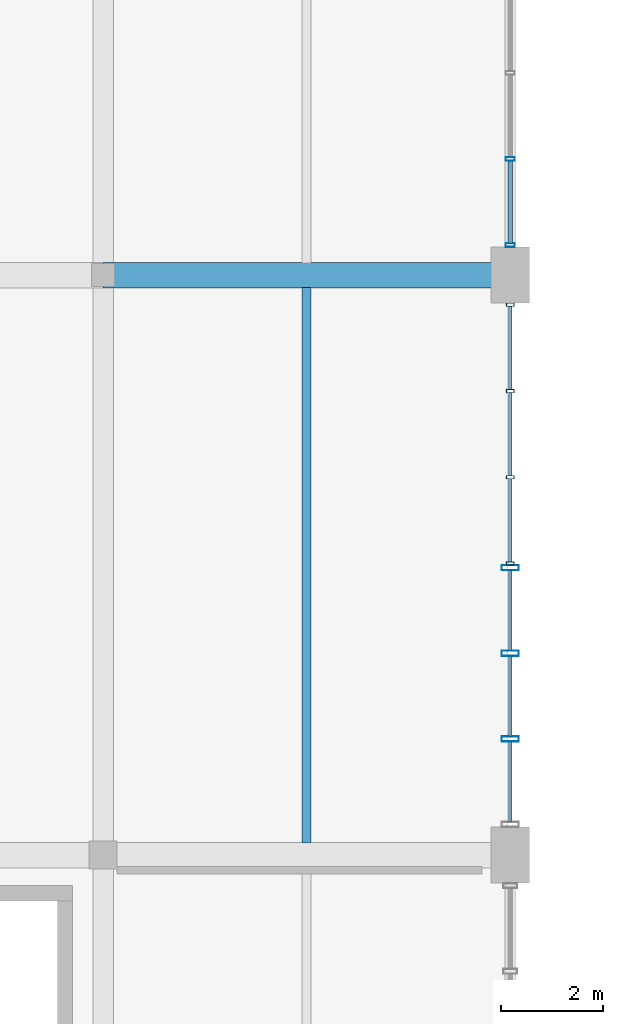
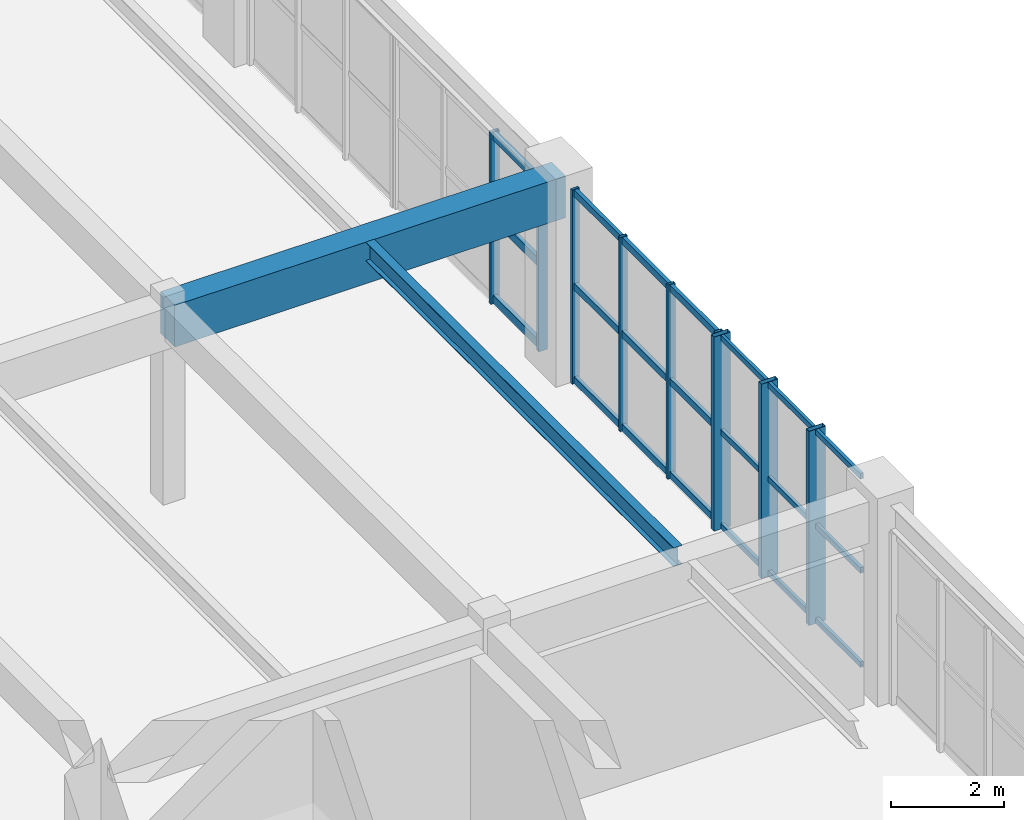
# One storey, part 15 of 80: 30 members, 2 beams, 3 elements without a shape of their own.
"""IFC4 building model written with IfcOpenShell, lengths in metres."""

from ifc_helpers import new_model, si_unit, direction, frame, origin, origin_2d, place, context, subcontext, project, spatial, rectangle, hollow_rectangle, i_section, extrude, material, layer, layer_set, material_profile, profile_set, type_object, element, aggregate, save


model = new_model("IFC4")

# Units and contexts
model_context = context("Model", 3, precision=1e-05, world=origin(), true_north=direction((0.0, 1.0)))
body_context = subcontext(model_context, "Body", "Model", "MODEL_VIEW")
ifc_project = project(units=[si_unit("LENGTHUNIT", "METRE"), si_unit("AREAUNIT", "SQUARE_METRE"), si_unit("VOLUMEUNIT", "CUBIC_METRE"), si_unit("PLANEANGLEUNIT", "RADIAN"), si_unit("MASSUNIT", "GRAM", prefix="KILO"), si_unit("POWERUNIT", "WATT"), si_unit("THERMODYNAMICTEMPERATUREUNIT", "KELVIN")], contexts=[model_context])

# Site, building, storey
site_placement = place(None, origin())
site = spatial("IfcSite", under=ifc_project, at=site_placement, CompositionType="ELEMENT")
building_placement = place(site_placement, origin())
building = spatial("IfcBuilding", under=site, at=building_placement, Name="Kelmbourne Parkland Aquatics Centre", CompositionType="ELEMENT")
storey_placement = place(building_placement, frame((0.0, 0.0, 10.199951171875)))
storey = spatial("IfcBuildingStorey", under=building, at=storey_placement, Name="L02", CompositionType="ELEMENT", Elevation=10.199951171875)

# Beams
ifc_material_1 = material(Name="Concrete C40/50", Category="concrete")
ifc_material_profile_1 = material_profile(ifc_material_1, rectangle(XDim=0.5, YDim=0.89990234375, at=origin_2d()), Name="RC 500x900")
ifc_profile_set_1 = profile_set([ifc_material_profile_1], Name="Concrete C40/50")
beam_type_1 = type_object("IfcBeamType", Name="BM-G03", PredefinedType="BEAM", material=ifc_profile_set_1)
beam_1_placement = place(storey_placement, frame((32.0, 57.800048828125, 3.81005859375), z_axis=(1.0, 0.0, 0.0), x_axis=(0.0, 1.0, 0.0)))
element("IfcBeam", 1, at=beam_1_placement, inside=storey, type_object=beam_type_1, Name="Primary girder E-F Grid 08 (L03)", PredefinedType="BEAM", context=body_context, shape_type="SweptSolid", body=[
    extrude(rectangle(XDim=0.5, YDim=0.89990234375, at=origin_2d()), origin(), (0.0, 0.0, 1.0), 8.0),
])
ifc_material_2 = material(Name="Structural steel AS/NZS 3679.1 Grade 300", Category="steel")
ifc_material_profile_2 = material_profile(ifc_material_2, i_section(OverallWidth=0.177978515625, OverallDepth=0.406005859375, WebThickness=0.0078125, FlangeThickness=0.0126953125, at=origin_2d()), Name="410UB59.7")
ifc_profile_set_2 = profile_set([ifc_material_profile_2], Name="Structural steel AS/NZS 3679.1 Grade 300")
beam_type_2 = type_object("IfcBeamType", Name="BM-J01", PredefinedType="JOIST", material=ifc_profile_set_2)
beam_2_placement = place(storey_placement, frame((36.0, 46.64208984375, 4.05712890625), z_axis=(0.0, 1.0, 0.0), x_axis=(-1.0, 0.0, 0.0)))
element("IfcBeam", 2, at=beam_2_placement, inside=storey, type_object=beam_type_2, Name="Secondary floor joist E-F/06-08 #1 (L03)", PredefinedType="JOIST", context=body_context, shape_type="SweptSolid", body=[
    extrude(i_section(OverallWidth=0.177978515625, OverallDepth=0.406005859375, WebThickness=0.0078125, FlangeThickness=0.0126953125, at=origin_2d()), origin(), (0.0, 0.0, 1.0), 10.916015625),
])

# Curtain wall, members
ifc_material_3 = material(Name="Thermally broken anodised aluminium framing", Category="aluminium")
ifc_layer_1 = layer(ifc_material_3, 0.179931640625)
ifc_layer_set_1 = layer_set([ifc_layer_1], Name="Thermally broken anodised aluminium framing")
curtain_wall_type_1 = type_object("IfcCurtainWallType", Name="CW-10", PredefinedType="NOTDEFINED", material=ifc_layer_set_1)
curtain_wall_1_placement = place(storey_placement, origin())
curtain_wall_1 = element("IfcCurtainWall", 3, at=curtain_wall_1_placement, inside=storey, type_object=curtain_wall_type_1, Name="Facade curtain wall CW-L02-250", PredefinedType="NOTDEFINED")
ifc_material_profile_3 = material_profile(ifc_material_3, hollow_rectangle(XDim=0.06494140625, YDim=0.14990234375, WallThickness=0.00390625, at=origin_2d()), Name="CW-M 65x150")
ifc_profile_set_3 = profile_set([ifc_material_profile_3], Name="Thermally broken anodised aluminium framing")
member_type_1 = type_object("IfcMemberType", Name="MB-MUL-1", PredefinedType="MULLION", material=ifc_profile_set_3)
member_1_placement = place(storey_placement, frame((40.0, 52.132568359375, 0.0), z_axis=(0.0, 0.0, 1.0), x_axis=(0.0, 1.0, 0.0)))
member_1 = element("IfcMember", 4, at=member_1_placement, type_object=member_type_1, Name="CW-L02-250 mullion 0", PredefinedType="MULLION", context=body_context, shape_type="SweptSolid", body=[
    extrude(hollow_rectangle(XDim=0.06494140625, YDim=0.14990234375, WallThickness=0.00390625, at=origin_2d()), origin(), (0.0, 0.0, 1.0), 4.199951171875),
])
member_2_placement = place(storey_placement, frame((40.0, 53.826904296875, 0.0), z_axis=(0.0, 0.0, 1.0), x_axis=(0.0, 1.0, 0.0)))
member_2 = element("IfcMember", 5, at=member_2_placement, type_object=member_type_1, Name="CW-L02-250 mullion 1", PredefinedType="MULLION", context=body_context, shape_type="SweptSolid", body=[
    extrude(hollow_rectangle(XDim=0.06494140625, YDim=0.14990234375, WallThickness=0.00390625, at=origin_2d()), origin(), (0.0, 0.0, 1.0), 4.199951171875),
])
member_3_placement = place(storey_placement, frame((40.0, 55.521240234375, 0.0), z_axis=(0.0, 0.0, 1.0), x_axis=(0.0, 1.0, 0.0)))
member_3 = element("IfcMember", 6, at=member_3_placement, type_object=member_type_1, Name="CW-L02-250 mullion 2", PredefinedType="MULLION", context=body_context, shape_type="SweptSolid", body=[
    extrude(hollow_rectangle(XDim=0.06494140625, YDim=0.14990234375, WallThickness=0.00390625, at=origin_2d()), origin(), (0.0, 0.0, 1.0), 4.199951171875),
])
member_4_placement = place(storey_placement, frame((40.0, 57.215576171875, 0.0), z_axis=(0.0, 0.0, 1.0), x_axis=(0.0, 1.0, 0.0)))
member_4 = element("IfcMember", 7, at=member_4_placement, type_object=member_type_1, Name="CW-L02-250 mullion 3", PredefinedType="MULLION", context=body_context, shape_type="SweptSolid", body=[
    extrude(hollow_rectangle(XDim=0.06494140625, YDim=0.14990234375, WallThickness=0.00390625, at=origin_2d()), origin(), (0.0, 0.0, 1.0), 4.199951171875),
])

ifc_layer_2 = layer(ifc_material_3, 0.179931640625)
ifc_layer_set_2 = layer_set([ifc_layer_2], Name="Thermally broken anodised aluminium framing")
curtain_wall_type_2 = type_object("IfcCurtainWallType", Name="CW-11", PredefinedType="NOTDEFINED", material=ifc_layer_set_2)
curtain_wall_2_placement = place(storey_placement, origin())
curtain_wall_2 = element("IfcCurtainWall", 8, at=curtain_wall_2_placement, inside=storey, type_object=curtain_wall_type_2, Name="Facade curtain wall CW-L02-251", PredefinedType="NOTDEFINED")
ifc_material_profile_4 = material_profile(ifc_material_3, hollow_rectangle(XDim=0.074951171875, YDim=0.179931640625, WallThickness=0.00439453125, at=origin_2d()), Name="CW-M 75x180")
ifc_profile_set_4 = profile_set([ifc_material_profile_4], Name="Thermally broken anodised aluminium framing")
member_type_2 = type_object("IfcMemberType", Name="MB-MUL-2", PredefinedType="MULLION", material=ifc_profile_set_4)
member_5_placement = place(storey_placement, frame((40.0, 58.389404296875, 0.0), z_axis=(0.0, 0.0, 1.0), x_axis=(0.0, 1.0, 0.0)))
member_5 = element("IfcMember", 9, at=member_5_placement, type_object=member_type_2, Name="CW-L02-251 mullion 0", PredefinedType="MULLION", context=body_context, shape_type="SweptSolid", body=[
    extrude(hollow_rectangle(XDim=0.074951171875, YDim=0.179931640625, WallThickness=0.00439453125, at=origin_2d()), origin(), (0.0, 0.0, 1.0), 3.712158203125),
])
member_6_placement = place(storey_placement, frame((40.0, 60.08056640625, 0.0), z_axis=(0.0, 0.0, 1.0), x_axis=(0.0, 1.0, 0.0)))
member_6 = element("IfcMember", 10, at=member_6_placement, type_object=member_type_2, Name="CW-L02-251 mullion 1", PredefinedType="MULLION", context=body_context, shape_type="SweptSolid", body=[
    extrude(hollow_rectangle(XDim=0.074951171875, YDim=0.179931640625, WallThickness=0.00439453125, at=origin_2d()), origin(), (0.0, 0.0, 1.0), 3.712158203125),
])

ifc_layer_3 = layer(ifc_material_3, 0.179931640625)
ifc_layer_set_3 = layer_set([ifc_layer_3], Name="Thermally broken anodised aluminium framing")
curtain_wall_type_3 = type_object("IfcCurtainWallType", Name="CW-09", PredefinedType="NOTDEFINED", material=ifc_layer_set_3)
curtain_wall_3_placement = place(storey_placement, origin())
curtain_wall_3 = element("IfcCurtainWall", 11, at=curtain_wall_3_placement, inside=storey, type_object=curtain_wall_type_3, Name="Facade curtain wall CW-L02-249", PredefinedType="NOTDEFINED")
ifc_material_profile_5 = material_profile(ifc_material_3, hollow_rectangle(XDim=0.10498046875, YDim=0.340087890625, WallThickness=0.006103515625, at=origin_2d()), Name="CW-M 105x340")
ifc_profile_set_5 = profile_set([ifc_material_profile_5], Name="Thermally broken anodised aluminium framing")
member_type_3 = type_object("IfcMemberType", Name="MB-MUL-5", PredefinedType="MULLION", material=ifc_profile_set_5)
member_7_placement = place(storey_placement, frame((40.0, 48.685546875, 0.0), z_axis=(0.0, 0.0, 1.0), x_axis=(0.0, 1.0, 0.0)))
member_7 = element("IfcMember", 12, at=member_7_placement, type_object=member_type_3, Name="CW-L02-249 mullion 1", PredefinedType="MULLION", context=body_context, shape_type="SweptSolid", body=[
    extrude(hollow_rectangle(XDim=0.10498046875, YDim=0.340087890625, WallThickness=0.006103515625, at=origin_2d()), origin(), (0.0, 0.0, 1.0), 4.199951171875),
])
member_8_placement = place(storey_placement, frame((40.0, 50.366455078125, 0.0), z_axis=(0.0, 0.0, 1.0), x_axis=(0.0, 1.0, 0.0)))
member_8 = element("IfcMember", 13, at=member_8_placement, type_object=member_type_3, Name="CW-L02-249 mullion 2", PredefinedType="MULLION", context=body_context, shape_type="SweptSolid", body=[
    extrude(hollow_rectangle(XDim=0.10498046875, YDim=0.340087890625, WallThickness=0.006103515625, at=origin_2d()), origin(), (0.0, 0.0, 1.0), 4.199951171875),
])
member_9_placement = place(storey_placement, frame((40.0, 52.047607421875, 0.0), z_axis=(0.0, 0.0, 1.0), x_axis=(0.0, 1.0, 0.0)))
member_9 = element("IfcMember", 14, at=member_9_placement, type_object=member_type_3, Name="CW-L02-249 mullion 3", PredefinedType="MULLION", context=body_context, shape_type="SweptSolid", body=[
    extrude(hollow_rectangle(XDim=0.10498046875, YDim=0.340087890625, WallThickness=0.006103515625, at=origin_2d()), origin(), (0.0, 0.0, 1.0), 4.199951171875),
])
ifc_material_profile_6 = material_profile(ifc_material_3, hollow_rectangle(XDim=0.06494140625, YDim=0.1201171875, WallThickness=0.00341796875, at=origin_2d()), Name="CW-T 65x120")
ifc_profile_set_6 = profile_set([ifc_material_profile_6], Name="Thermally broken anodised aluminium framing")
member_type_4 = type_object("IfcMemberType", Name="MB-TRN-1", PredefinedType="USERDEFINED", material=ifc_profile_set_6)
member_10_placement = place(storey_placement, frame((40.0, 47.052978515625, 0.06298828125), z_axis=(0.0, 1.0, 0.0), x_axis=(-1.0, 0.0, 0.0)))
member_10 = element("IfcMember", 15, at=member_10_placement, type_object=member_type_4, Name="CW-L02-249 transom 0-0", ObjectType="TRANSOM", PredefinedType="USERDEFINED", context=body_context, shape_type="SweptSolid", body=[
    extrude(hollow_rectangle(XDim=0.06494140625, YDim=0.1201171875, WallThickness=0.00341796875, at=origin_2d()), origin(), (0.0, 0.0, 1.0), 1.583984375),
])
member_11_placement = place(storey_placement, frame((40.0, 48.73388671875, 0.06298828125), z_axis=(0.0, 1.0, 0.0), x_axis=(-1.0, 0.0, 0.0)))
member_11 = element("IfcMember", 16, at=member_11_placement, type_object=member_type_4, Name="CW-L02-249 transom 0-1", ObjectType="TRANSOM", PredefinedType="USERDEFINED", context=body_context, shape_type="SweptSolid", body=[
    extrude(hollow_rectangle(XDim=0.06494140625, YDim=0.1201171875, WallThickness=0.00341796875, at=origin_2d()), origin(), (0.0, 0.0, 1.0), 1.584228515625),
])
member_12_placement = place(storey_placement, frame((40.0, 50.4150390625, 0.06298828125), z_axis=(0.0, 1.0, 0.0), x_axis=(-1.0, 0.0, 0.0)))
member_12 = element("IfcMember", 17, at=member_12_placement, type_object=member_type_4, Name="CW-L02-249 transom 0-2", ObjectType="TRANSOM", PredefinedType="USERDEFINED", context=body_context, shape_type="SweptSolid", body=[
    extrude(hollow_rectangle(XDim=0.06494140625, YDim=0.1201171875, WallThickness=0.00341796875, at=origin_2d()), origin(), (0.0, 0.0, 1.0), 1.583984375),
])
member_13_placement = place(storey_placement, frame((40.0, 47.052978515625, 2.10009765625), z_axis=(0.0, 1.0, 0.0), x_axis=(-1.0, 0.0, 0.0)))
member_13 = element("IfcMember", 18, at=member_13_placement, type_object=member_type_4, Name="CW-L02-249 transom 1-0", ObjectType="TRANSOM", PredefinedType="USERDEFINED", context=body_context, shape_type="SweptSolid", body=[
    extrude(hollow_rectangle(XDim=0.06494140625, YDim=0.1201171875, WallThickness=0.00341796875, at=origin_2d()), origin(), (0.0, 0.0, 1.0), 1.583984375),
])
member_14_placement = place(storey_placement, frame((40.0, 48.73388671875, 2.10009765625), z_axis=(0.0, 1.0, 0.0), x_axis=(-1.0, 0.0, 0.0)))
member_14 = element("IfcMember", 19, at=member_14_placement, type_object=member_type_4, Name="CW-L02-249 transom 1-1", ObjectType="TRANSOM", PredefinedType="USERDEFINED", context=body_context, shape_type="SweptSolid", body=[
    extrude(hollow_rectangle(XDim=0.06494140625, YDim=0.1201171875, WallThickness=0.00341796875, at=origin_2d()), origin(), (0.0, 0.0, 1.0), 1.584228515625),
])
member_15_placement = place(storey_placement, frame((40.0, 50.4150390625, 2.10009765625), z_axis=(0.0, 1.0, 0.0), x_axis=(-1.0, 0.0, 0.0)))
member_15 = element("IfcMember", 20, at=member_15_placement, type_object=member_type_4, Name="CW-L02-249 transom 1-2", ObjectType="TRANSOM", PredefinedType="USERDEFINED", context=body_context, shape_type="SweptSolid", body=[
    extrude(hollow_rectangle(XDim=0.06494140625, YDim=0.1201171875, WallThickness=0.00341796875, at=origin_2d()), origin(), (0.0, 0.0, 1.0), 1.583984375),
])
member_16_placement = place(storey_placement, frame((40.0, 47.052978515625, 4.136962890625), z_axis=(0.0, 1.0, 0.0), x_axis=(-1.0, 0.0, 0.0)))
member_16 = element("IfcMember", 21, at=member_16_placement, type_object=member_type_4, Name="CW-L02-249 transom 2-0", ObjectType="TRANSOM", PredefinedType="USERDEFINED", context=body_context, shape_type="SweptSolid", body=[
    extrude(hollow_rectangle(XDim=0.06494140625, YDim=0.1201171875, WallThickness=0.00341796875, at=origin_2d()), origin(), (0.0, 0.0, 1.0), 1.583984375),
])
member_17_placement = place(storey_placement, frame((40.0, 48.73388671875, 4.136962890625), z_axis=(0.0, 1.0, 0.0), x_axis=(-1.0, 0.0, 0.0)))
member_17 = element("IfcMember", 22, at=member_17_placement, type_object=member_type_4, Name="CW-L02-249 transom 2-1", ObjectType="TRANSOM", PredefinedType="USERDEFINED", context=body_context, shape_type="SweptSolid", body=[
    extrude(hollow_rectangle(XDim=0.06494140625, YDim=0.1201171875, WallThickness=0.00341796875, at=origin_2d()), origin(), (0.0, 0.0, 1.0), 1.584228515625),
])
member_18_placement = place(storey_placement, frame((40.0, 50.4150390625, 4.136962890625), z_axis=(0.0, 1.0, 0.0), x_axis=(-1.0, 0.0, 0.0)))
member_18 = element("IfcMember", 23, at=member_18_placement, type_object=member_type_4, Name="CW-L02-249 transom 2-2", ObjectType="TRANSOM", PredefinedType="USERDEFINED", context=body_context, shape_type="SweptSolid", body=[
    extrude(hollow_rectangle(XDim=0.06494140625, YDim=0.1201171875, WallThickness=0.00341796875, at=origin_2d()), origin(), (0.0, 0.0, 1.0), 1.583984375),
])
aggregate(curtain_wall_3, [member_7, member_8, member_9, member_10, member_11, member_12, member_13, member_14, member_15, member_16, member_17, member_18])

# Member
ifc_material_profile_7 = material_profile(ifc_material_3, hollow_rectangle(XDim=0.074951171875, YDim=0.14990234375, WallThickness=0.00390625, at=origin_2d()), Name="CW-T 75x150")
ifc_profile_set_7 = profile_set([ifc_material_profile_7], Name="Thermally broken anodised aluminium framing")
member_type_5 = type_object("IfcMemberType", Name="MB-TRN-2", PredefinedType="USERDEFINED", material=ifc_profile_set_7)
member_19_placement = place(storey_placement, frame((40.0, 52.160888671875, 0.078125), z_axis=(0.0, 1.0, 0.0), x_axis=(-1.0, 0.0, 0.0)))
member_19 = element("IfcMember", 24, at=member_19_placement, type_object=member_type_5, Name="CW-L02-250 transom 0-0", ObjectType="TRANSOM", PredefinedType="USERDEFINED", context=body_context, shape_type="SweptSolid", body=[
    extrude(hollow_rectangle(XDim=0.074951171875, YDim=0.14990234375, WallThickness=0.00390625, at=origin_2d()), origin(), (0.0, 0.0, 1.0), 1.637451171875),
])

member_20_placement = place(storey_placement, frame((40.0, 53.855224609375, 0.078125), z_axis=(0.0, 1.0, 0.0), x_axis=(-1.0, 0.0, 0.0)))
member_20 = element("IfcMember", 25, at=member_20_placement, type_object=member_type_5, Name="CW-L02-250 transom 0-1", ObjectType="TRANSOM", PredefinedType="USERDEFINED", context=body_context, shape_type="SweptSolid", body=[
    extrude(hollow_rectangle(XDim=0.074951171875, YDim=0.14990234375, WallThickness=0.00390625, at=origin_2d()), origin(), (0.0, 0.0, 1.0), 1.637451171875),
])

member_21_placement = place(storey_placement, frame((40.0, 55.5498046875, 0.078125), z_axis=(0.0, 1.0, 0.0), x_axis=(-1.0, 0.0, 0.0)))
member_21 = element("IfcMember", 26, at=member_21_placement, type_object=member_type_5, Name="CW-L02-250 transom 0-2", ObjectType="TRANSOM", PredefinedType="USERDEFINED", context=body_context, shape_type="SweptSolid", body=[
    extrude(hollow_rectangle(XDim=0.074951171875, YDim=0.14990234375, WallThickness=0.00390625, at=origin_2d()), origin(), (0.0, 0.0, 1.0), 1.63720703125),
])

member_22_placement = place(storey_placement, frame((40.0, 52.160888671875, 2.10009765625), z_axis=(0.0, 1.0, 0.0), x_axis=(-1.0, 0.0, 0.0)))
member_22 = element("IfcMember", 27, at=member_22_placement, type_object=member_type_5, Name="CW-L02-250 transom 1-0", ObjectType="TRANSOM", PredefinedType="USERDEFINED", context=body_context, shape_type="SweptSolid", body=[
    extrude(hollow_rectangle(XDim=0.074951171875, YDim=0.14990234375, WallThickness=0.00390625, at=origin_2d()), origin(), (0.0, 0.0, 1.0), 1.637451171875),
])

member_23_placement = place(storey_placement, frame((40.0, 53.855224609375, 2.10009765625), z_axis=(0.0, 1.0, 0.0), x_axis=(-1.0, 0.0, 0.0)))
member_23 = element("IfcMember", 28, at=member_23_placement, type_object=member_type_5, Name="CW-L02-250 transom 1-1", ObjectType="TRANSOM", PredefinedType="USERDEFINED", context=body_context, shape_type="SweptSolid", body=[
    extrude(hollow_rectangle(XDim=0.074951171875, YDim=0.14990234375, WallThickness=0.00390625, at=origin_2d()), origin(), (0.0, 0.0, 1.0), 1.637451171875),
])

member_24_placement = place(storey_placement, frame((40.0, 55.5498046875, 2.10009765625), z_axis=(0.0, 1.0, 0.0), x_axis=(-1.0, 0.0, 0.0)))
member_24 = element("IfcMember", 29, at=member_24_placement, type_object=member_type_5, Name="CW-L02-250 transom 1-2", ObjectType="TRANSOM", PredefinedType="USERDEFINED", context=body_context, shape_type="SweptSolid", body=[
    extrude(hollow_rectangle(XDim=0.074951171875, YDim=0.14990234375, WallThickness=0.00390625, at=origin_2d()), origin(), (0.0, 0.0, 1.0), 1.63720703125),
])

member_25_placement = place(storey_placement, frame((40.0, 52.160888671875, 4.1220703125), z_axis=(0.0, 1.0, 0.0), x_axis=(-1.0, 0.0, 0.0)))
member_25 = element("IfcMember", 30, at=member_25_placement, type_object=member_type_5, Name="CW-L02-250 transom 2-0", ObjectType="TRANSOM", PredefinedType="USERDEFINED", context=body_context, shape_type="SweptSolid", body=[
    extrude(hollow_rectangle(XDim=0.074951171875, YDim=0.14990234375, WallThickness=0.00390625, at=origin_2d()), origin(), (0.0, 0.0, 1.0), 1.637451171875),
])

member_26_placement = place(storey_placement, frame((40.0, 53.855224609375, 4.1220703125), z_axis=(0.0, 1.0, 0.0), x_axis=(-1.0, 0.0, 0.0)))
member_26 = element("IfcMember", 31, at=member_26_placement, type_object=member_type_5, Name="CW-L02-250 transom 2-1", ObjectType="TRANSOM", PredefinedType="USERDEFINED", context=body_context, shape_type="SweptSolid", body=[
    extrude(hollow_rectangle(XDim=0.074951171875, YDim=0.14990234375, WallThickness=0.00390625, at=origin_2d()), origin(), (0.0, 0.0, 1.0), 1.637451171875),
])

member_27_placement = place(storey_placement, frame((40.0, 55.5498046875, 4.1220703125), z_axis=(0.0, 1.0, 0.0), x_axis=(-1.0, 0.0, 0.0)))
member_27 = element("IfcMember", 32, at=member_27_placement, type_object=member_type_5, Name="CW-L02-250 transom 2-2", ObjectType="TRANSOM", PredefinedType="USERDEFINED", context=body_context, shape_type="SweptSolid", body=[
    extrude(hollow_rectangle(XDim=0.074951171875, YDim=0.14990234375, WallThickness=0.00390625, at=origin_2d()), origin(), (0.0, 0.0, 1.0), 1.63720703125),
])

aggregate(curtain_wall_1, [member_1, member_2, member_3, member_4, member_19, member_20, member_21, member_22, member_23, member_24, member_25, member_26, member_27])

ifc_material_profile_8 = material_profile(ifc_material_3, hollow_rectangle(XDim=0.0849609375, YDim=0.179931640625, WallThickness=0.00439453125, at=origin_2d()), Name="CW-T 85x180")
ifc_profile_set_8 = profile_set([ifc_material_profile_8], Name="Thermally broken anodised aluminium framing")
member_type_6 = type_object("IfcMemberType", Name="MB-TRN-3", PredefinedType="USERDEFINED", material=ifc_profile_set_8)
member_28_placement = place(storey_placement, frame((40.0, 58.423095703125, 0.093017578125), z_axis=(0.0, 1.0, 0.0), x_axis=(-1.0, 0.0, 0.0)))
member_28 = element("IfcMember", 33, at=member_28_placement, type_object=member_type_6, Name="CW-L02-251 transom 0-0", ObjectType="TRANSOM", PredefinedType="USERDEFINED", context=body_context, shape_type="SweptSolid", body=[
    extrude(hollow_rectangle(XDim=0.0849609375, YDim=0.179931640625, WallThickness=0.00439453125, at=origin_2d()), origin(), (0.0, 0.0, 1.0), 1.6240234375),
])

member_29_placement = place(storey_placement, frame((40.0, 58.423095703125, 1.85595703125), z_axis=(0.0, 1.0, 0.0), x_axis=(-1.0, 0.0, 0.0)))
member_29 = element("IfcMember", 34, at=member_29_placement, type_object=member_type_6, Name="CW-L02-251 transom 1-0", ObjectType="TRANSOM", PredefinedType="USERDEFINED", context=body_context, shape_type="SweptSolid", body=[
    extrude(hollow_rectangle(XDim=0.0849609375, YDim=0.179931640625, WallThickness=0.00439453125, at=origin_2d()), origin(), (0.0, 0.0, 1.0), 1.6240234375),
])

member_30_placement = place(storey_placement, frame((40.0, 58.423095703125, 3.619140625), z_axis=(0.0, 1.0, 0.0), x_axis=(-1.0, 0.0, 0.0)))
member_30 = element("IfcMember", 35, at=member_30_placement, type_object=member_type_6, Name="CW-L02-251 transom 2-0", ObjectType="TRANSOM", PredefinedType="USERDEFINED", context=body_context, shape_type="SweptSolid", body=[
    extrude(hollow_rectangle(XDim=0.0849609375, YDim=0.179931640625, WallThickness=0.00439453125, at=origin_2d()), origin(), (0.0, 0.0, 1.0), 1.6240234375),
])

aggregate(curtain_wall_2, [member_5, member_6, member_28, member_29, member_30])

save(model, "model.ifc")
